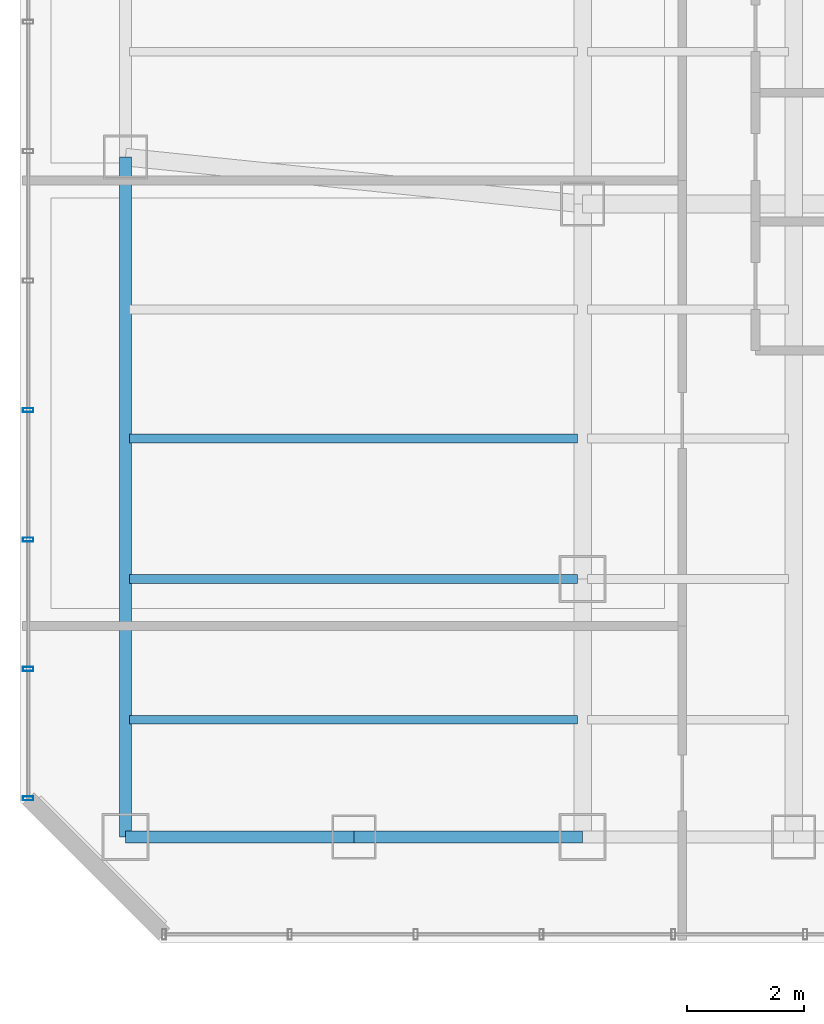
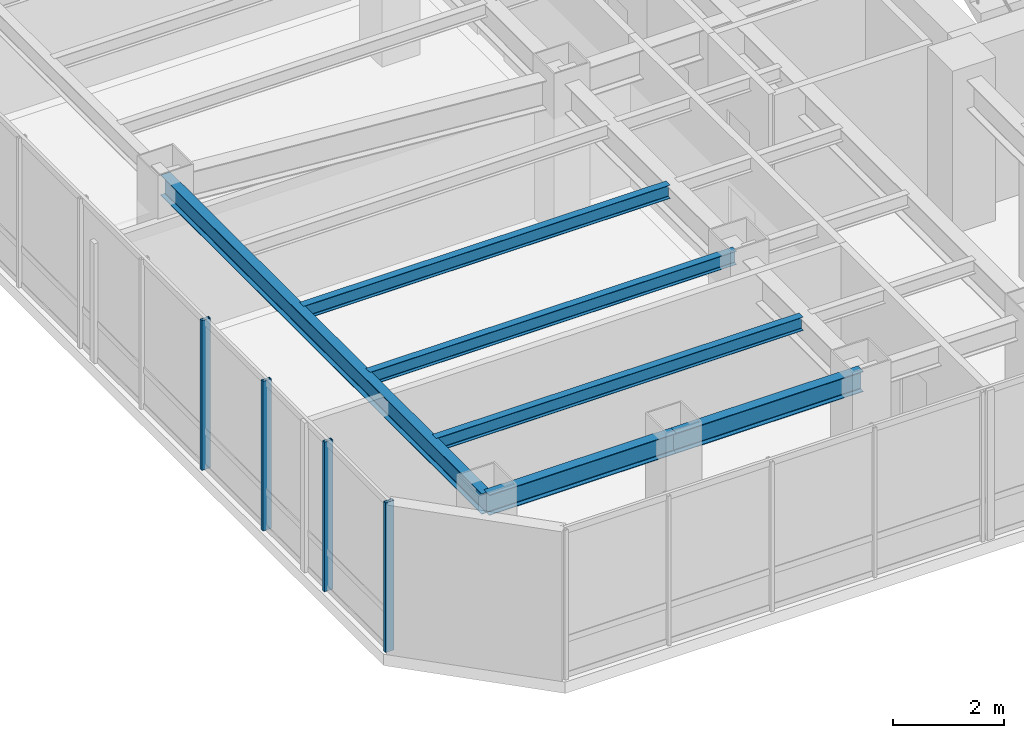
# One storey, part 7 of 29: 6 beams, 4 members, 1 element without a shape of its own.
"""IFC4 building model written with IfcOpenShell, lengths in metres."""

from ifc_helpers import new_model, si_unit, direction, frame, origin, origin_2d, place, context, subcontext, project, spatial, hollow_rectangle, i_section, extrude, material, layer, layer_set, material_profile, profile_set, type_object, element, aggregate, save


model = new_model("IFC4")

# Units and contexts
model_context = context("Model", 3, precision=1e-05, world=origin(), true_north=direction((0.0, 1.0)))
body_context = subcontext(model_context, "Body", "Model", "MODEL_VIEW")
ifc_project = project(units=[si_unit("LENGTHUNIT", "METRE"), si_unit("AREAUNIT", "SQUARE_METRE"), si_unit("VOLUMEUNIT", "CUBIC_METRE"), si_unit("PLANEANGLEUNIT", "RADIAN"), si_unit("MASSUNIT", "GRAM", prefix="KILO")], contexts=[model_context])

# Site, building, storey
site_placement = place(None, origin())
site = spatial("IfcSite", under=ifc_project, at=site_placement, CompositionType="ELEMENT")
building_placement = place(site_placement, origin())
building = spatial("IfcBuilding", under=site, at=building_placement, Name="Hatsunagi Terrace Concourse", CompositionType="ELEMENT")
storey_placement = place(building_placement, frame((0.0, 0.0, 178.050048828125)))
storey = spatial("IfcBuildingStorey", under=building, at=storey_placement, Name="L47", CompositionType="ELEMENT", Elevation=178.050048828125)

# Curtain wall, members
ifc_material_1 = material(Name="Anodised Aluminium Alloy 6063-T5", Category="aluminium")
ifc_layer = layer(ifc_material_1, 0.199951171875)
ifc_layer_set = layer_set([ifc_layer], Name="OfficeZone1_CW03")
curtain_wall_type = type_object("IfcCurtainWallType", Name="OfficeZone1_CW03", PredefinedType="NOTDEFINED", material=ifc_layer_set)
curtain_wall_placement = place(storey_placement, origin())
curtain_wall = element("IfcCurtainWall", 1, at=curtain_wall_placement, inside=storey, type_object=curtain_wall_type, Name="Unitised Curtain Wall CW-03 CW-L47-09", PredefinedType="NOTDEFINED")
ifc_material_2 = material(Name="Anodised Aluminium Alloy 6063-T5", Category="aluminium")
ifc_material_profile_1 = material_profile(ifc_material_2, hollow_rectangle(XDim=0.070068359375, YDim=0.179931640625, WallThickness=0.00390625, at=origin_2d()), Name="ALU-MUL-180x70x4")
ifc_profile_set_1 = profile_set([ifc_material_profile_1], Name="Anodised Aluminium Alloy 6063-T5")
member_type = type_object("IfcMemberType", Name="CurtainWallMullion_180x70", PredefinedType="MULLION", material=ifc_profile_set_1)
member_1_placement = place(storey_placement, frame((9.739990234375, 25.85791015625, 0.0), z_axis=(0.0, 0.0, 1.0), x_axis=(0.0, 1.0, 0.0)))
member_1 = element("IfcMember", 2, at=member_1_placement, type_object=member_type, Name="Curtain Wall Mullion MUL-02", PredefinedType="MULLION", context=body_context, shape_type="SweptSolid", body=[
    extrude(hollow_rectangle(XDim=0.070068359375, YDim=0.179931640625, WallThickness=0.00390625, at=origin_2d()), origin(), (0.0, 0.0, 1.0), 3.300048828125),
])
member_2_placement = place(storey_placement, frame((9.739990234375, 28.06591796875, 0.0), z_axis=(0.0, 0.0, 1.0), x_axis=(0.0, 1.0, 0.0)))
member_2 = element("IfcMember", 3, at=member_2_placement, type_object=member_type, Name="Curtain Wall Mullion MUL-02", PredefinedType="MULLION", context=body_context, shape_type="SweptSolid", body=[
    extrude(hollow_rectangle(XDim=0.070068359375, YDim=0.179931640625, WallThickness=0.00390625, at=origin_2d()), origin(), (0.0, 0.0, 1.0), 3.300048828125),
])
member_3_placement = place(storey_placement, frame((9.739990234375, 30.27490234375, 0.0), z_axis=(0.0, 0.0, 1.0), x_axis=(0.0, 1.0, 0.0)))
member_3 = element("IfcMember", 4, at=member_3_placement, type_object=member_type, Name="Curtain Wall Mullion MUL-02", PredefinedType="MULLION", context=body_context, shape_type="SweptSolid", body=[
    extrude(hollow_rectangle(XDim=0.070068359375, YDim=0.179931640625, WallThickness=0.00390625, at=origin_2d()), origin(), (0.0, 0.0, 1.0), 3.300048828125),
])
member_4_placement = place(storey_placement, frame((9.739990234375, 32.48291015625, 0.0), z_axis=(0.0, 0.0, 1.0), x_axis=(0.0, 1.0, 0.0)))
member_4 = element("IfcMember", 5, at=member_4_placement, type_object=member_type, Name="Curtain Wall Mullion MUL-02", PredefinedType="MULLION", context=body_context, shape_type="SweptSolid", body=[
    extrude(hollow_rectangle(XDim=0.070068359375, YDim=0.179931640625, WallThickness=0.00390625, at=origin_2d()), origin(), (0.0, 0.0, 1.0), 3.300048828125),
])
aggregate(curtain_wall, [member_1, member_2, member_3, member_4])

# Beams
ifc_material_3 = material(Name="Steel SN490B", Category="steel")
ifc_material_profile_2 = material_profile(ifc_material_3, i_section(OverallWidth=0.14990234375, OverallDepth=0.300048828125, WebThickness=0.006591796875, FlangeThickness=0.009033203125, FilletRadius=0.010986328125, at=origin_2d()), Name="H-300x150x6.5x9")
ifc_profile_set_2 = profile_set([ifc_material_profile_2], Name="Steel SN490B")
beam_type_1 = type_object("IfcBeamType", Name="OfficeJoist_H_300x150", PredefinedType="JOIST", material=ifc_profile_set_2)
for number, where, z_axis, x_axis, name in (
    (6, (11.465087890625, 27.199951171875, 3.14990234375), (1.0, 0.0, 0.0), (0.0, 1.0, 0.0), "Beam J-03 J-L47-W-11-272"),
    (7, (11.465087890625, 29.60009765625, 3.14990234375), (1.0, 0.0, 0.0), (0.0, 1.0, 0.0), "Beam J-03 J-L47-W-11-296"),
    (8, (11.465087890625, 32.0, 3.14990234375), (1.0, 0.0, 0.0), (0.0, 1.0, 0.0), "Beam J-03 J-L47-W-11-320"),
):
    element("IfcBeam", number, at=place(storey_placement, frame(where, z_axis=z_axis, x_axis=x_axis)), inside=storey, type_object=beam_type_1, Name=name, PredefinedType="JOIST", context=body_context, shape_type="SweptSolid", body=[
        extrude(i_section(OverallWidth=0.14990234375, OverallDepth=0.300048828125, WebThickness=0.006591796875, FlangeThickness=0.009033203125, FilletRadius=0.010986328125, at=origin_2d()), origin(), (0.0, 0.0, 1.0), 7.64990234375),
    ])
ifc_material_4 = material(Name="Steel SN490B", Category="steel")
ifc_material_profile_3 = material_profile(ifc_material_4, i_section(OverallWidth=0.199951171875, OverallDepth=0.449951171875, WebThickness=0.009033203125, FlangeThickness=0.013916015625, FilletRadius=0.01611328125, at=origin_2d()), Name="H-450x200x9x14")
ifc_profile_set_3 = profile_set([ifc_material_profile_3], Name="Steel SN490B")
beam_type_2 = type_object("IfcBeamType", Name="PerimeterSpandrel_H_450x200", PredefinedType="SPANDREL", material=ifc_profile_set_3)
beam_1_placement = place(storey_placement, frame((11.39990234375, 25.199951171875, 3.074951171875), z_axis=(1.0, 0.0, 0.0), x_axis=(0.0, 1.0, 0.0)))
element("IfcBeam", 9, at=beam_1_placement, inside=storey, type_object=beam_type_2, Name="Beam SP-02 BM-L47-WS-11", PredefinedType="SPANDREL", context=body_context, shape_type="SweptSolid", body=[
    extrude(i_section(OverallWidth=0.199951171875, OverallDepth=0.449951171875, WebThickness=0.009033203125, FlangeThickness=0.013916015625, FilletRadius=0.01611328125, at=origin_2d()), origin(), (0.0, 0.0, 1.0), 3.900146484375),
])
beam_2_placement = place(storey_placement, frame((15.300048828125, 25.199951171875, 3.074951171875), z_axis=(1.0, 0.0, 0.0), x_axis=(0.0, 1.0, 0.0)))
element("IfcBeam", 10, at=beam_2_placement, inside=storey, type_object=beam_type_2, Name="Beam SP-02 BM-L47-WS-15", PredefinedType="SPANDREL", context=body_context, shape_type="SweptSolid", body=[
    extrude(i_section(OverallWidth=0.199951171875, OverallDepth=0.449951171875, WebThickness=0.009033203125, FlangeThickness=0.013916015625, FilletRadius=0.01611328125, at=origin_2d()), origin(), (0.0, 0.0, 1.0), 3.89990234375),
])
beam_3_placement = place(storey_placement, frame((11.39990234375, 25.199951171875, 3.074951171875), z_axis=(0.0, 1.0, 0.0), x_axis=(-1.0, 0.0, 0.0)))
element("IfcBeam", 11, at=beam_3_placement, inside=storey, type_object=beam_type_2, Name="Beam SP-02 BM-L47-NS-11-25", PredefinedType="SPANDREL", context=body_context, shape_type="SweptSolid", body=[
    extrude(i_section(OverallWidth=0.199951171875, OverallDepth=0.449951171875, WebThickness=0.009033203125, FlangeThickness=0.013916015625, FilletRadius=0.01611328125, at=origin_2d()), origin(), (0.0, 0.0, 1.0), 11.60009765625),
])

save(model, "model.ifc")
